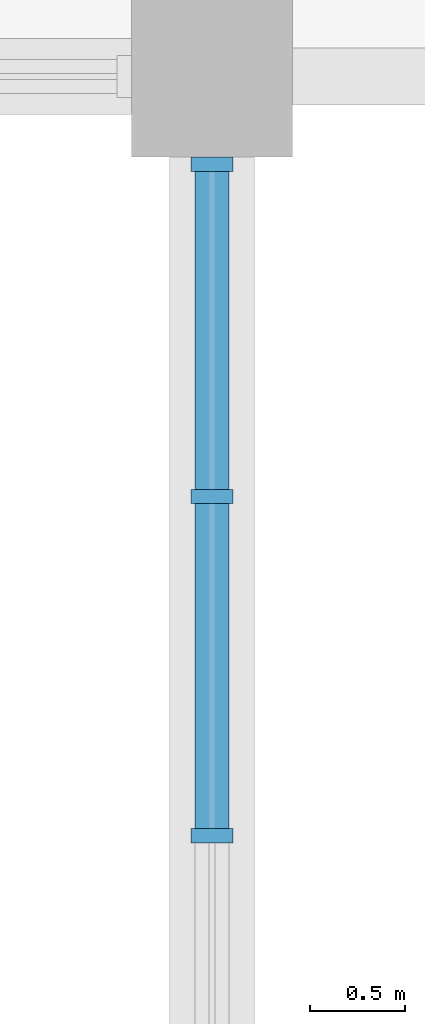
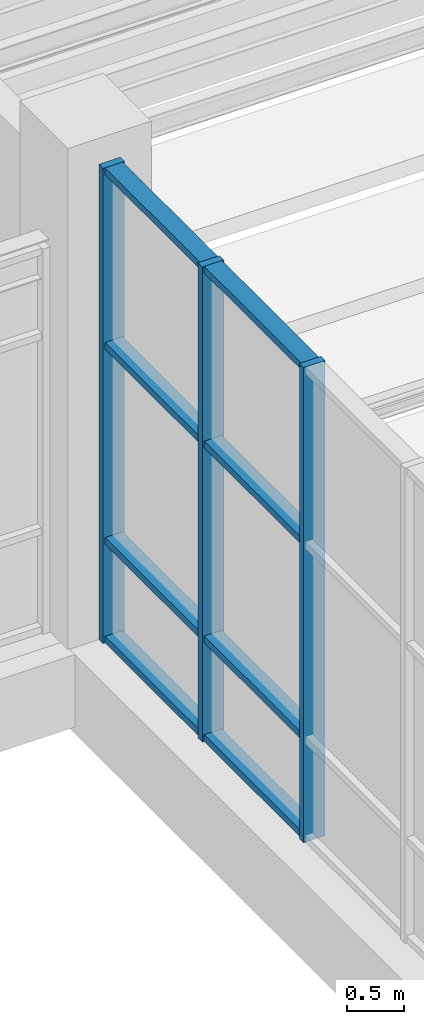
# One storey, part 22 of 122: 11 members, 1 element without a shape of its own.
"""IFC4 building model written with IfcOpenShell, lengths in metres."""

from ifc_helpers import new_model, si_unit, direction, frame, origin, origin_2d, place, context, subcontext, project, spatial, rectangle, extrude, material, material_profile, profile_set, type_object, element, aggregate, save


model = new_model("IFC4")

# Units and contexts
model_context = context("Model", 3, precision=1e-05, world=origin(), true_north=direction((0.0, 1.0)))
body_context = subcontext(model_context, "Body", "Model", "MODEL_VIEW")
ifc_project = project(units=[si_unit("LENGTHUNIT", "METRE"), si_unit("AREAUNIT", "SQUARE_METRE"), si_unit("VOLUMEUNIT", "CUBIC_METRE"), si_unit("PLANEANGLEUNIT", "RADIAN"), si_unit("MASSUNIT", "GRAM", prefix="KILO")], contexts=[model_context])

# Site, building, storey
site_placement = place(None, origin())
site = spatial("IfcSite", under=ifc_project, at=site_placement, CompositionType="ELEMENT")
building_placement = place(site_placement, origin())
building = spatial("IfcBuilding", under=site, at=building_placement, Name="Tenunan Teduh Sports Hall", CompositionType="ELEMENT")
storey_placement = place(building_placement, frame((0.0, 0.0, 5.39990234375)))
storey = spatial("IfcBuildingStorey", under=building, at=storey_placement, Name="L01", CompositionType="ELEMENT", Elevation=5.39990234375)

# Curtain wall, members
ifc_material_1 = material(Name="Anodised aluminium", Category="aluminium")
curtain_wall_type = type_object("IfcCurtainWallType", Name="CW-UNIT-1", PredefinedType="NOTDEFINED", material=ifc_material_1)
curtain_wall_placement = place(storey_placement, origin())
curtain_wall = element("IfcCurtainWall", 1, at=curtain_wall_placement, inside=storey, type_object=curtain_wall_type, Name="CW-CWM-220-L01-017", PredefinedType="NOTDEFINED")
ifc_material_2 = material(Name="Anodised aluminium", Category="aluminium")
ifc_material_profile_1 = material_profile(ifc_material_2, rectangle(XDim=0.074951171875, YDim=0.219970703125, at=origin_2d()), Name="CWM 75x220")
ifc_profile_set_1 = profile_set([ifc_material_profile_1], Name="Anodised aluminium")
member_type_1 = type_object("IfcMemberType", Name="CWM-220", PredefinedType="MULLION", material=ifc_profile_set_1)
member_1_placement = place(storey_placement, frame((122.0, 34.0, 0.0), z_axis=(0.0, 0.0, 1.0), x_axis=(0.0, 1.0, 0.0)))
member_1 = element("IfcMember", 2, at=member_1_placement, type_object=member_type_1, Name="CW-01 mullion 3", PredefinedType="MULLION", context=body_context, shape_type="SweptSolid", body=[
    extrude(rectangle(XDim=0.074951171875, YDim=0.219970703125, at=origin_2d()), origin(), (0.0, 0.0, 1.0), 5.1201171875),
])
member_2_placement = place(storey_placement, frame((122.0, 35.78759765625, 0.0), z_axis=(0.0, 0.0, 1.0), x_axis=(0.0, 1.0, 0.0)))
member_2 = element("IfcMember", 3, at=member_2_placement, type_object=member_type_1, Name="CW-01 mullion 4", PredefinedType="MULLION", context=body_context, shape_type="SweptSolid", body=[
    extrude(rectangle(XDim=0.074951171875, YDim=0.219970703125, at=origin_2d()), origin(), (0.0, 0.0, 1.0), 5.1201171875),
])
member_3_placement = place(storey_placement, frame((122.0, 37.53759765625, 0.0), z_axis=(0.0, 0.0, 1.0), x_axis=(0.0, 1.0, 0.0)))
member_3 = element("IfcMember", 4, at=member_3_placement, type_object=member_type_1, Name="CW-01 mullion 5", PredefinedType="MULLION", context=body_context, shape_type="SweptSolid", body=[
    extrude(rectangle(XDim=0.074951171875, YDim=0.219970703125, at=origin_2d()), origin(), (0.0, 0.0, 1.0), 5.1201171875),
])
ifc_material_3 = material(Name="Anodised aluminium", Category="aluminium")
ifc_material_profile_2 = material_profile(ifc_material_3, rectangle(XDim=0.074951171875, YDim=0.179931640625, at=origin_2d()), Name="CWT 75x180")
ifc_profile_set_2 = profile_set([ifc_material_profile_2], Name="Anodised aluminium")
member_type_2 = type_object("IfcMemberType", Name="CWT-180", PredefinedType="USERDEFINED", material=ifc_profile_set_2)
member_4_placement = place(storey_placement, frame((122.0, 34.03759765625, 0.03759765625), z_axis=(0.0, 1.0, 0.0), x_axis=(0.0, 0.0, 1.0)))
member_4 = element("IfcMember", 5, at=member_4_placement, type_object=member_type_2, Name="CW-01 transom 3.1", ObjectType="TRANSOM", PredefinedType="USERDEFINED", context=body_context, shape_type="SweptSolid", body=[
    extrude(rectangle(XDim=0.074951171875, YDim=0.179931640625, at=origin_2d()), origin(), (0.0, 0.0, 1.0), 1.71240234375),
])
member_5_placement = place(storey_placement, frame((122.0, 34.03759765625, 1.10009765625), z_axis=(0.0, 1.0, 0.0), x_axis=(0.0, 0.0, 1.0)))
member_5 = element("IfcMember", 6, at=member_5_placement, type_object=member_type_2, Name="CW-01 transom 3.2", ObjectType="TRANSOM", PredefinedType="USERDEFINED", context=body_context, shape_type="SweptSolid", body=[
    extrude(rectangle(XDim=0.074951171875, YDim=0.179931640625, at=origin_2d()), origin(), (0.0, 0.0, 1.0), 1.71240234375),
])
member_6_placement = place(storey_placement, frame((122.0, 34.03759765625, 3.2001953125), z_axis=(0.0, 1.0, 0.0), x_axis=(0.0, 0.0, 1.0)))
member_6 = element("IfcMember", 7, at=member_6_placement, type_object=member_type_2, Name="CW-01 transom 3.3", ObjectType="TRANSOM", PredefinedType="USERDEFINED", context=body_context, shape_type="SweptSolid", body=[
    extrude(rectangle(XDim=0.074951171875, YDim=0.179931640625, at=origin_2d()), origin(), (0.0, 0.0, 1.0), 1.71240234375),
])
member_7_placement = place(storey_placement, frame((122.0, 34.03759765625, 5.08251953125), z_axis=(0.0, 1.0, 0.0), x_axis=(0.0, 0.0, 1.0)))
member_7 = element("IfcMember", 8, at=member_7_placement, type_object=member_type_2, Name="CW-01 transom 3.4", ObjectType="TRANSOM", PredefinedType="USERDEFINED", context=body_context, shape_type="SweptSolid", body=[
    extrude(rectangle(XDim=0.074951171875, YDim=0.179931640625, at=origin_2d()), origin(), (0.0, 0.0, 1.0), 1.71240234375),
])
member_8_placement = place(storey_placement, frame((122.0, 35.824951171875, 0.03759765625), z_axis=(0.0, 1.0, 0.0), x_axis=(0.0, 0.0, 1.0)))
member_8 = element("IfcMember", 9, at=member_8_placement, type_object=member_type_2, Name="CW-01 transom 4.1", ObjectType="TRANSOM", PredefinedType="USERDEFINED", context=body_context, shape_type="SweptSolid", body=[
    extrude(rectangle(XDim=0.074951171875, YDim=0.179931640625, at=origin_2d()), origin(), (0.0, 0.0, 1.0), 1.675048828125),
])
member_9_placement = place(storey_placement, frame((122.0, 35.824951171875, 1.10009765625), z_axis=(0.0, 1.0, 0.0), x_axis=(0.0, 0.0, 1.0)))
member_9 = element("IfcMember", 10, at=member_9_placement, type_object=member_type_2, Name="CW-01 transom 4.2", ObjectType="TRANSOM", PredefinedType="USERDEFINED", context=body_context, shape_type="SweptSolid", body=[
    extrude(rectangle(XDim=0.074951171875, YDim=0.179931640625, at=origin_2d()), origin(), (0.0, 0.0, 1.0), 1.675048828125),
])
member_10_placement = place(storey_placement, frame((122.0, 35.824951171875, 3.2001953125), z_axis=(0.0, 1.0, 0.0), x_axis=(0.0, 0.0, 1.0)))
member_10 = element("IfcMember", 11, at=member_10_placement, type_object=member_type_2, Name="CW-01 transom 4.3", ObjectType="TRANSOM", PredefinedType="USERDEFINED", context=body_context, shape_type="SweptSolid", body=[
    extrude(rectangle(XDim=0.074951171875, YDim=0.179931640625, at=origin_2d()), origin(), (0.0, 0.0, 1.0), 1.675048828125),
])
member_11_placement = place(storey_placement, frame((122.0, 35.824951171875, 5.08251953125), z_axis=(0.0, 1.0, 0.0), x_axis=(0.0, 0.0, 1.0)))
member_11 = element("IfcMember", 12, at=member_11_placement, type_object=member_type_2, Name="CW-01 transom 4.4", ObjectType="TRANSOM", PredefinedType="USERDEFINED", context=body_context, shape_type="SweptSolid", body=[
    extrude(rectangle(XDim=0.074951171875, YDim=0.179931640625, at=origin_2d()), origin(), (0.0, 0.0, 1.0), 1.675048828125),
])
aggregate(curtain_wall, [member_1, member_2, member_3, member_4, member_5, member_6, member_7, member_8, member_9, member_10, member_11])

save(model, "model.ifc")
